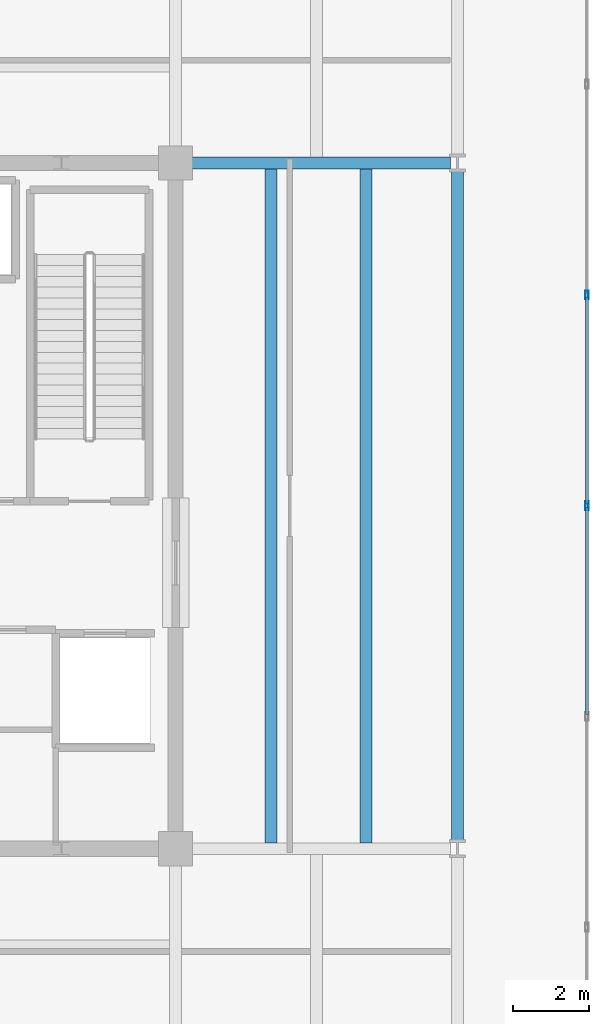
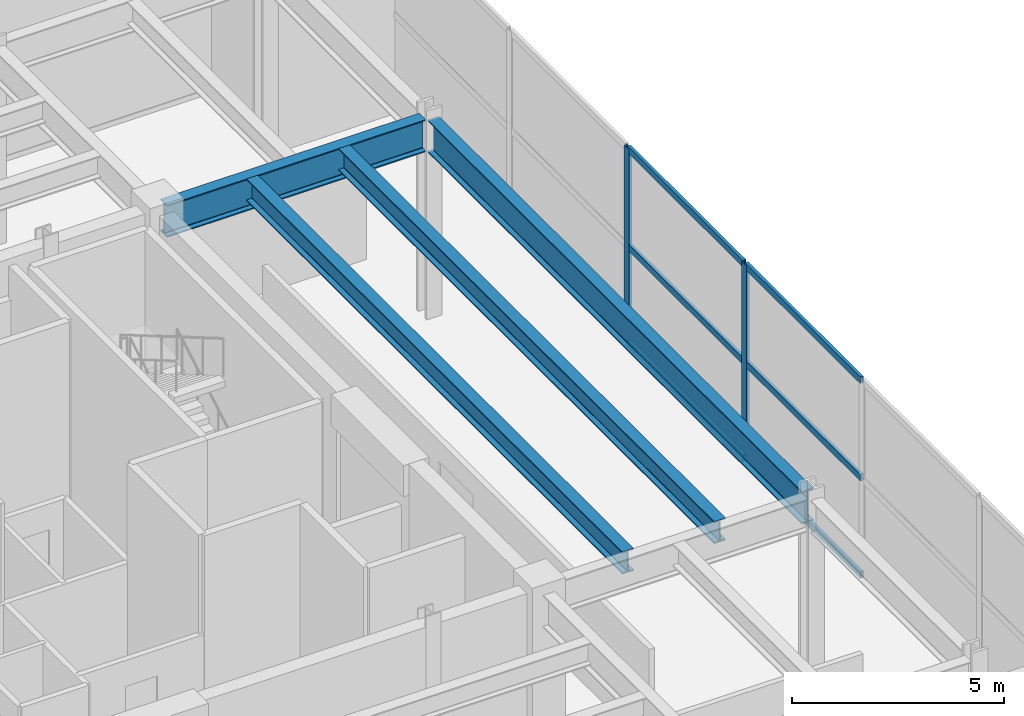
# One storey, part 11 of 21: 8 members, 4 beams, 1 element without a shape of its own.
"""IFC4 building model written with IfcOpenShell, lengths in metres."""

from ifc_helpers import new_model, si_unit, direction, frame, origin, origin_2d, place, context, subcontext, project, spatial, hollow_rectangle, i_section, extrude, material, material_profile, profile_set, type_object, element, aggregate, save


model = new_model("IFC4")

# Units and contexts
model_context = context("Model", 3, precision=1e-05, world=origin(), true_north=direction((0.0, 1.0)))
body_context = subcontext(model_context, "Body", "Model", "MODEL_VIEW")
ifc_project = project(units=[si_unit("LENGTHUNIT", "METRE"), si_unit("AREAUNIT", "SQUARE_METRE"), si_unit("VOLUMEUNIT", "CUBIC_METRE"), si_unit("PLANEANGLEUNIT", "RADIAN"), si_unit("MASSUNIT", "GRAM", prefix="KILO")], contexts=[model_context])

# Site, building, storey
site_placement = place(None, origin())
site = spatial("IfcSite", under=ifc_project, at=site_placement, CompositionType="ELEMENT")
building_placement = place(site_placement, origin())
building = spatial("IfcBuilding", under=site, at=building_placement, Name="Kovane Verandah Tower", CompositionType="ELEMENT")
storey_placement = place(building_placement, frame((0.0, 0.0, 342.800048828125)))
storey = spatial("IfcBuildingStorey", under=building, at=storey_placement, Name="L80", CompositionType="ELEMENT", Elevation=342.800048828125)

# Beams
ifc_material_1 = material(Name="Steel S460", Category="steel")
ifc_material_profile_1 = material_profile(ifc_material_1, i_section(OverallWidth=0.311279296875, OverallDepth=0.6357421875, WebThickness=0.018310546875, FlangeThickness=0.031494140625, FilletRadius=0.0166015625, at=origin_2d()), Name="UB610x305x238")
ifc_profile_set_1 = profile_set([ifc_material_profile_1], Name="Steel S460")
beam_type_1 = type_object("IfcBeamType", Name="BM-UB610x238", PredefinedType="BEAM", material=ifc_profile_set_1)
for number, where, z_axis, x_axis, name in (
    (1, (53.5, 18.65185546875, 5.382080078125), (0.0, 1.0, 0.0), (-1.0, 0.0, 0.0), "L80 Secondary Composite Joist J-E1"),
    (2, (56.0, 18.65185546875, 5.382080078125), (0.0, 1.0, 0.0), (-1.0, 0.0, 0.0), "L80 Secondary Composite Joist J-E2"),
):
    element("IfcBeam", number, at=place(storey_placement, frame(where, z_axis=z_axis, x_axis=x_axis)), inside=storey, type_object=beam_type_1, Name=name, PredefinedType="BEAM", context=body_context, shape_type="SweptSolid", body=[
        extrude(i_section(OverallWidth=0.311279296875, OverallDepth=0.6357421875, WebThickness=0.018310546875, FlangeThickness=0.031494140625, FilletRadius=0.0166015625, at=origin_2d()), origin(), (0.0, 0.0, 1.0), 17.6962890625),
    ])
ifc_material_profile_2 = material_profile(ifc_material_1, i_section(OverallWidth=0.3076171875, OverallDepth=0.926513671875, WebThickness=0.01953125, FlangeThickness=0.031982421875, FilletRadius=0.01904296875, at=origin_2d()), Name="UB914x305x289")
ifc_profile_set_2 = profile_set([ifc_material_profile_2], Name="Steel S460")
beam_type_2 = type_object("IfcBeamType", Name="BM-UB914x289", PredefinedType="BEAM", material=ifc_profile_set_2)
beam_1_placement = place(storey_placement, frame((58.39990234375, 18.679931640625, 5.236572265625), z_axis=(0.0, 1.0, 0.0), x_axis=(-1.0, 0.0, 0.0)))
element("IfcBeam", 3, at=beam_1_placement, inside=storey, type_object=beam_type_2, Name="L80 Primary Tower Girder G-RE2", PredefinedType="BEAM", context=body_context, shape_type="SweptSolid", body=[
    extrude(i_section(OverallWidth=0.3076171875, OverallDepth=0.926513671875, WebThickness=0.01953125, FlangeThickness=0.031982421875, FilletRadius=0.01904296875, at=origin_2d()), origin(), (0.0, 0.0, 1.0), 17.64013671875),
])
beam_2_placement = place(storey_placement, frame((51.179931640625, 36.5, 5.236572265625), z_axis=(1.0, 0.0, 0.0), x_axis=(0.0, 1.0, 0.0)))
element("IfcBeam", 4, at=beam_2_placement, inside=storey, type_object=beam_type_2, Name="L80 Primary Tower Girder G-E2", PredefinedType="BEAM", context=body_context, shape_type="SweptSolid", body=[
    extrude(i_section(OverallWidth=0.3076171875, OverallDepth=0.926513671875, WebThickness=0.01953125, FlangeThickness=0.031982421875, FilletRadius=0.01904296875, at=origin_2d()), origin(), (0.0, 0.0, 1.0), 7.0400390625),
])

# Curtain wall, members
ifc_material_2 = material(Name="Champagne Anodised Aluminium Frame with Low-E Clear Laminated Glass", Category="aluminium")
curtain_wall_type = type_object("IfcCurtainWallType", Name="CW-SYS-06-CROWN", PredefinedType="NOTDEFINED", material=ifc_material_2)
curtain_wall_placement = place(storey_placement, origin())
curtain_wall = element("IfcCurtainWall", 5, at=curtain_wall_placement, inside=storey, type_object=curtain_wall_type, Name="L80 E Unitised Curtain Wall", PredefinedType="NOTDEFINED")
ifc_material_3 = material(Name="Champagne Anodised Aluminium 6063-T6", Category="aluminium")
ifc_material_profile_3 = material_profile(ifc_material_3, hollow_rectangle(XDim=0.0849609375, YDim=0.22998046875, WallThickness=0.00390625, at=origin_2d()), Name="AL85x230x4")
ifc_profile_set_3 = profile_set([ifc_material_profile_3], Name="Champagne Anodised Aluminium 6063-T6")
member_type_1 = type_object("IfcMemberType", Name="CW-MUL-85x230", PredefinedType="MULLION", material=ifc_profile_set_3)
member_1_placement = place(storey_placement, frame((61.800048828125, 27.5, 0.02001953125), z_axis=(0.0, 0.0, 1.0), x_axis=(1.0, 0.0, 0.0)))
member_1 = element("IfcMember", 6, at=member_1_placement, type_object=member_type_1, Name="L80 E Unitised Curtain Wall Mullion 4", PredefinedType="MULLION", context=body_context, shape_type="SweptSolid", body=[
    extrude(hollow_rectangle(XDim=0.0849609375, YDim=0.22998046875, WallThickness=0.00390625, at=origin_2d()), origin(), (0.0, 0.0, 1.0), 5.659912109375),
])
member_2_placement = place(storey_placement, frame((61.800048828125, 33.033203125, 0.02001953125), z_axis=(0.0, 0.0, 1.0), x_axis=(1.0, 0.0, 0.0)))
member_2 = element("IfcMember", 7, at=member_2_placement, type_object=member_type_1, Name="L80 E Unitised Curtain Wall Mullion 5", PredefinedType="MULLION", context=body_context, shape_type="SweptSolid", body=[
    extrude(hollow_rectangle(XDim=0.0849609375, YDim=0.22998046875, WallThickness=0.00390625, at=origin_2d()), origin(), (0.0, 0.0, 1.0), 5.659912109375),
])
ifc_material_profile_4 = material_profile(ifc_material_3, hollow_rectangle(XDim=0.0849609375, YDim=0.18994140625, WallThickness=0.00390625, at=origin_2d()), Name="AL85x190x4")
ifc_profile_set_4 = profile_set([ifc_material_profile_4], Name="Champagne Anodised Aluminium 6063-T6")
member_type_2 = type_object("IfcMemberType", Name="CW-TRN-85x190", PredefinedType="USERDEFINED", material=ifc_profile_set_4)
member_3_placement = place(storey_placement, frame((61.800048828125, 22.0166015625, 0.050048828125), z_axis=(0.0, 1.0, 0.0), x_axis=(-1.0, 0.0, 0.0)))
member_3 = element("IfcMember", 8, at=member_3_placement, type_object=member_type_2, Name="L80 E Unitised Curtain Wall Transom TB Bay 3", ObjectType="TRANSOM", PredefinedType="USERDEFINED", context=body_context, shape_type="SweptSolid", body=[
    extrude(hollow_rectangle(XDim=0.0849609375, YDim=0.18994140625, WallThickness=0.00390625, at=origin_2d()), origin(), (0.0, 0.0, 1.0), 5.433349609375),
])
member_4_placement = place(storey_placement, frame((61.800048828125, 22.0166015625, 2.849853515625), z_axis=(0.0, 1.0, 0.0), x_axis=(-1.0, 0.0, 0.0)))
member_4 = element("IfcMember", 9, at=member_4_placement, type_object=member_type_2, Name="L80 E Unitised Curtain Wall Transom TM Bay 3", ObjectType="TRANSOM", PredefinedType="USERDEFINED", context=body_context, shape_type="SweptSolid", body=[
    extrude(hollow_rectangle(XDim=0.0849609375, YDim=0.18994140625, WallThickness=0.00390625, at=origin_2d()), origin(), (0.0, 0.0, 1.0), 5.433349609375),
])
member_5_placement = place(storey_placement, frame((61.800048828125, 22.0166015625, 5.64990234375), z_axis=(0.0, 1.0, 0.0), x_axis=(-1.0, 0.0, 0.0)))
member_5 = element("IfcMember", 10, at=member_5_placement, type_object=member_type_2, Name="L80 E Unitised Curtain Wall Transom TT Bay 3", ObjectType="TRANSOM", PredefinedType="USERDEFINED", context=body_context, shape_type="SweptSolid", body=[
    extrude(hollow_rectangle(XDim=0.0849609375, YDim=0.18994140625, WallThickness=0.00390625, at=origin_2d()), origin(), (0.0, 0.0, 1.0), 5.433349609375),
])
member_6_placement = place(storey_placement, frame((61.800048828125, 27.550048828125, 0.050048828125), z_axis=(0.0, 1.0, 0.0), x_axis=(-1.0, 0.0, 0.0)))
member_6 = element("IfcMember", 11, at=member_6_placement, type_object=member_type_2, Name="L80 E Unitised Curtain Wall Transom TB Bay 4", ObjectType="TRANSOM", PredefinedType="USERDEFINED", context=body_context, shape_type="SweptSolid", body=[
    extrude(hollow_rectangle(XDim=0.0849609375, YDim=0.18994140625, WallThickness=0.00390625, at=origin_2d()), origin(), (0.0, 0.0, 1.0), 5.433349609375),
])
member_7_placement = place(storey_placement, frame((61.800048828125, 27.550048828125, 2.849853515625), z_axis=(0.0, 1.0, 0.0), x_axis=(-1.0, 0.0, 0.0)))
member_7 = element("IfcMember", 12, at=member_7_placement, type_object=member_type_2, Name="L80 E Unitised Curtain Wall Transom TM Bay 4", ObjectType="TRANSOM", PredefinedType="USERDEFINED", context=body_context, shape_type="SweptSolid", body=[
    extrude(hollow_rectangle(XDim=0.0849609375, YDim=0.18994140625, WallThickness=0.00390625, at=origin_2d()), origin(), (0.0, 0.0, 1.0), 5.433349609375),
])
member_8_placement = place(storey_placement, frame((61.800048828125, 27.550048828125, 5.64990234375), z_axis=(0.0, 1.0, 0.0), x_axis=(-1.0, 0.0, 0.0)))
member_8 = element("IfcMember", 13, at=member_8_placement, type_object=member_type_2, Name="L80 E Unitised Curtain Wall Transom TT Bay 4", ObjectType="TRANSOM", PredefinedType="USERDEFINED", context=body_context, shape_type="SweptSolid", body=[
    extrude(hollow_rectangle(XDim=0.0849609375, YDim=0.18994140625, WallThickness=0.00390625, at=origin_2d()), origin(), (0.0, 0.0, 1.0), 5.433349609375),
])
aggregate(curtain_wall, [member_1, member_2, member_3, member_4, member_5, member_6, member_7, member_8])

save(model, "model.ifc")
